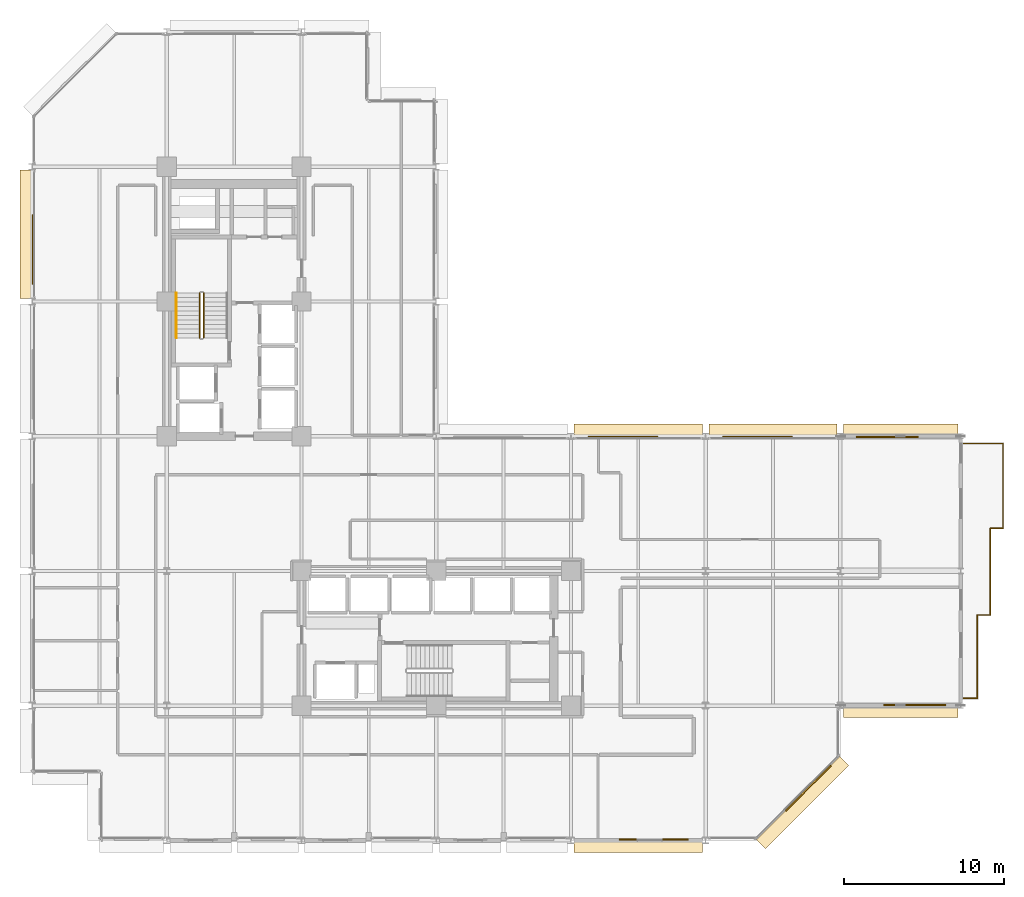
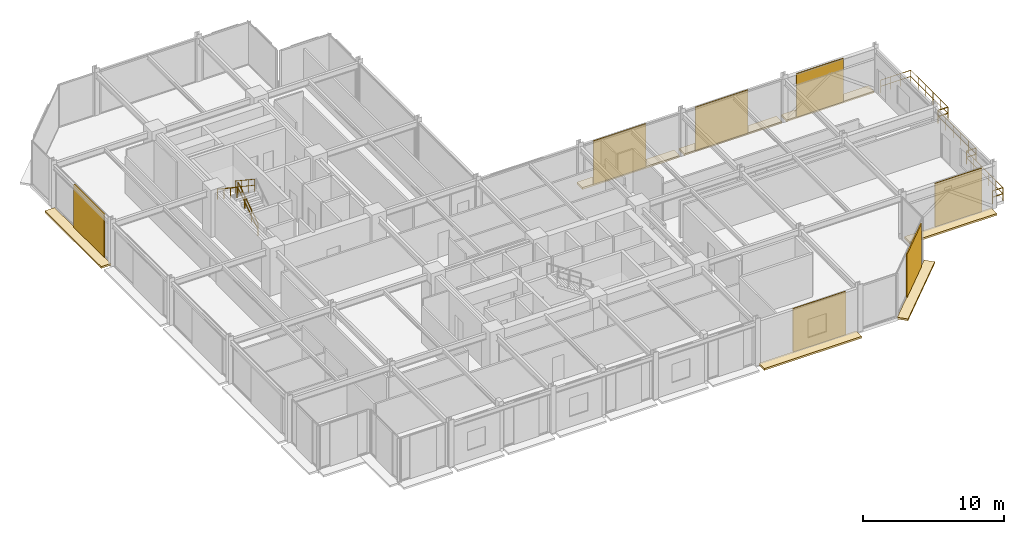
# One storey, part 39 of 40: 14 coverings, 10 railings.
"""IFC4 building model written with IfcOpenShell, lengths in metres."""

from ifc_helpers import new_model, si_unit, direction, frame, origin, origin_2d, place, context, subcontext, project, spatial, polyline, rectangle, circle, outline, extrude, material, layer, layer_set, type_object, element, save


model = new_model("IFC4")

# Units and contexts
model_context = context("Model", 3, precision=1e-05, world=origin(), true_north=direction((0.0, 1.0)))
body_context = subcontext(model_context, "Body", "Model", "MODEL_VIEW")
ifc_project = project(units=[si_unit("LENGTHUNIT", "METRE"), si_unit("AREAUNIT", "SQUARE_METRE"), si_unit("VOLUMEUNIT", "CUBIC_METRE"), si_unit("PLANEANGLEUNIT", "RADIAN"), si_unit("MASSUNIT", "GRAM", prefix="KILO")], contexts=[model_context])

# Site, building, storey
site_placement = place(None, origin())
site = spatial("IfcSite", under=ifc_project, at=site_placement, CompositionType="ELEMENT")
building_placement = place(site_placement, origin())
building = spatial("IfcBuilding", under=site, at=building_placement, Name="Nerrivon Quay Data Exchange", CompositionType="ELEMENT")
storey_placement = place(building_placement, frame((0.0, 0.0, 109.0)))
storey = spatial("IfcBuildingStorey", under=building, at=storey_placement, Name="L25", CompositionType="ELEMENT", Elevation=109.0)

# Coverings
ifc_material_1 = material(Name="Architectural terracotta ceramic", Category="masonry")
ifc_layer_1 = layer(ifc_material_1, 0.159912109375)
ifc_layer_set_1 = layer_set([ifc_layer_1], Name="Architectural terracotta ceramic")
covering_type_1 = type_object("IfcCoveringType", Name="COV-BLD-TERR", PredefinedType="CLADDING", material=ifc_layer_set_1)
covering_1_placement = place(storey_placement, frame((0.0, 0.0, -0.159912109375)))
element("IfcCovering", 1, at=covering_1_placement, inside=storey, type_object=covering_type_1, Name="L25 Horizontal Terracotta SOLAR SCREEN Blade", PredefinedType="CLADDING", context=body_context, shape_type="SweptSolid", body=[
    extrude(outline(polyline([(57.744384765625, 8.43994140625), (50.60009765625, 8.43994140625), (50.60009765625, 7.64990234375), (57.744384765625, 7.64990234375), (57.744384765625, 8.43994140625)])), origin(), (0.0, 0.0, 1.0), 0.159912109375),
])
covering_2_placement = place(storey_placement, frame((0.0, 0.0, -0.159912109375)))
element("IfcCovering", 2, at=covering_2_placement, inside=storey, type_object=covering_type_1, Name="L25 Horizontal Terracotta SOLAR SCREEN Blade", PredefinedType="CLADDING", context=body_context, shape_type="SweptSolid", body=[
    extrude(outline(polyline([(50.37158203125, 5.228271484375), (45.171630859375, 0.0283203125), (45.730224609375, -0.5302734375), (50.930419921875, 4.669677734375), (50.37158203125, 5.228271484375)])), origin(), (0.0, 0.0, 1.0), 0.159912109375),
])
covering_3_placement = place(storey_placement, frame((0.0, 0.0, -0.159912109375)))
element("IfcCovering", 3, at=covering_3_placement, inside=storey, type_object=covering_type_1, Name="L25 Horizontal Terracotta SOLAR SCREEN Blade", PredefinedType="CLADDING", context=body_context, shape_type="SweptSolid", body=[
    extrude(outline(polyline([(41.800048828125, 0.0400390625), (33.800048828125, 0.0400390625), (33.800048828125, -0.75), (41.800048828125, -0.75), (41.800048828125, 0.0400390625)])), origin(), (0.0, 0.0, 1.0), 0.159912109375),
])
covering_4_placement = place(storey_placement, frame((0.0, 0.0, -0.159912109375)))
element("IfcCovering", 4, at=covering_4_placement, inside=storey, type_object=covering_type_1, Name="L25 Horizontal Terracotta SOLAR SCREEN Blade", PredefinedType="CLADDING", context=body_context, shape_type="SweptSolid", body=[
    extrude(outline(polyline([(0.0400390625, 33.800048828125), (0.0400390625, 41.800048828125), (-0.75, 41.800048828125), (-0.75, 33.800048828125), (0.0400390625, 33.800048828125)])), origin(), (0.0, 0.0, 1.0), 0.159912109375),
])
covering_5_placement = place(storey_placement, frame((0.0, 0.0, -0.159912109375)))
element("IfcCovering", 5, at=covering_5_placement, inside=storey, type_object=covering_type_1, Name="L25 Horizontal Terracotta SOLAR SCREEN Blade", PredefinedType="CLADDING", context=body_context, shape_type="SweptSolid", body=[
    extrude(outline(polyline([(33.800048828125, 25.159912109375), (41.800048828125, 25.159912109375), (41.800048828125, 25.949951171875), (33.800048828125, 25.949951171875), (33.800048828125, 25.159912109375)])), origin(), (0.0, 0.0, 1.0), 0.159912109375),
])
covering_6_placement = place(storey_placement, frame((0.0, 0.0, -0.159912109375)))
element("IfcCovering", 6, at=covering_6_placement, inside=storey, type_object=covering_type_1, Name="L25 Horizontal Terracotta SOLAR SCREEN Blade", PredefinedType="CLADDING", context=body_context, shape_type="SweptSolid", body=[
    extrude(outline(polyline([(42.199951171875, 25.159912109375), (50.199951171875, 25.159912109375), (50.199951171875, 25.949951171875), (42.199951171875, 25.949951171875), (42.199951171875, 25.159912109375)])), origin(), (0.0, 0.0, 1.0), 0.159912109375),
])
covering_7_placement = place(storey_placement, frame((0.0, 0.0, -0.159912109375)))
element("IfcCovering", 7, at=covering_7_placement, inside=storey, type_object=covering_type_1, Name="L25 Horizontal Terracotta SOLAR SCREEN Blade", PredefinedType="CLADDING", context=body_context, shape_type="SweptSolid", body=[
    extrude(outline(polyline([(50.60009765625, 25.159912109375), (57.744384765625, 25.159912109375), (57.744384765625, 25.949951171875), (50.60009765625, 25.949951171875), (50.60009765625, 25.159912109375)])), origin(), (0.0, 0.0, 1.0), 0.159912109375),
])
ifc_layer_2 = layer(ifc_material_1, 0.090087890625)
ifc_layer_set_2 = layer_set([ifc_layer_2], Name="Architectural terracotta ceramic")
covering_type_2 = type_object("IfcCoveringType", Name="COV-SCR-TERR", PredefinedType="CLADDING", material=ifc_layer_set_2)
covering_8_placement = place(storey_placement, frame((55.029541015625, 8.445068359375, 0.0), z_axis=(0.0, 0.0, 1.0), x_axis=(-1.0, 0.0, 0.0)))
element("IfcCovering", 8, at=covering_8_placement, inside=storey, type_object=covering_type_2, Name="L25 Perforated Terracotta SOLAR SCREEN Cassette", PredefinedType="CLADDING", context=body_context, shape_type="SweptSolid", body=[
    extrude(rectangle(XDim=3.85791015625, YDim=0.090087890625, at=origin_2d()), origin(), (0.0, 0.0, 1.0), 3.75),
])
covering_9_placement = place(storey_placement, frame((48.39208984375, 3.255859375, 0.0), z_axis=(0.0, 0.0, 1.0), x_axis=(-0.707106781187, -0.707106781187, 0.0)))
element("IfcCovering", 9, at=covering_9_placement, inside=storey, type_object=covering_type_2, Name="L25 Perforated Terracotta SOLAR SCREEN Cassette", PredefinedType="CLADDING", context=body_context, shape_type="SweptSolid", body=[
    extrude(rectangle(XDim=3.970947265625, YDim=0.090087890625, at=origin_2d()), origin(), (0.0, 0.0, 1.0), 3.75),
])
for number, where, z_axis, x_axis, name in (
    (10, (38.760009765625, 0.044921875, 0.0), (0.0, 0.0, 1.0), (-1.0, 0.0, 0.0), "L25 Perforated Terracotta SOLAR SCREEN Cassette"),
    (11, (0.044921875, 36.840087890625, 0.0), (0.0, 0.0, 1.0), (0.0, 1.0, 0.0), "L25 Perforated Terracotta SOLAR SCREEN Cassette"),
    (12, (36.840087890625, 25.155029296875, 0.0), (0.0, 0.0, 1.0), (1.0, 0.0, 0.0), "L25 Perforated Terracotta SOLAR SCREEN Cassette"),
    (13, (45.239990234375, 25.155029296875, 0.0), (0.0, 0.0, 1.0), (1.0, 0.0, 0.0), "L25 Perforated Terracotta SOLAR SCREEN Cassette"),
):
    element("IfcCovering", number, at=place(storey_placement, frame(where, z_axis=z_axis, x_axis=x_axis)), inside=storey, type_object=covering_type_2, Name=name, PredefinedType="CLADDING", context=body_context, shape_type="SweptSolid", body=[
        extrude(rectangle(XDim=4.320068359375, YDim=0.090087890625, at=origin_2d()), origin(), (0.0, 0.0, 1.0), 3.75),
    ])
covering_10_placement = place(storey_placement, frame((53.31494140625, 25.155029296875, 0.0), z_axis=(0.0, 0.0, 1.0), x_axis=(1.0, 0.0, 0.0)))
element("IfcCovering", 14, at=covering_10_placement, inside=storey, type_object=covering_type_2, Name="L25 Perforated Terracotta SOLAR SCREEN Cassette", PredefinedType="CLADDING", context=body_context, shape_type="SweptSolid", body=[
    extrude(rectangle(XDim=3.85791015625, YDim=0.090087890625, at=origin_2d()), origin(), (0.0, 0.0, 1.0), 3.75),
])

# Railings
ifc_material_2 = material(Name="Steel Grade C350L0 (350 MPa)", Category="steel")
railing_type_1 = type_object("IfcRailingType", Name="RAIL-GUARD-GR2", PredefinedType="BALUSTRADE", material=ifc_material_2)
railing_1_placement = place(storey_placement, frame((58.93994140625, 14.06005859375, 0.0)))
element("IfcRailing", 15, at=railing_1_placement, inside=storey, type_object=railing_type_1, Name="L25 Verandah Balcony Guard 1.1 1", PredefinedType="BALUSTRADE", context=body_context, shape_type="SweptSolid", body=[
    extrude(circle(Radius=0.02392578125, at=origin_2d()), frame((0.0, 0.0, 1.09619140625), z_axis=(0.0, -1.0, 0.0), x_axis=(1.0, 0.0, 0.0)), (0.0, 0.0, 1.0), 5.199951171875),
    extrude(circle(Radius=0.02392578125, at=origin_2d()), frame((0.0, 0.0, 0.56005859375), z_axis=(0.0, -1.0, 0.0), x_axis=(1.0, 0.0, 0.0)), (0.0, 0.0, 1.0), 5.199951171875),
    extrude(circle(Radius=0.02099609375, at=origin_2d()), origin(), (0.0, 0.0, 1.0), 1.072021484375),
    extrude(circle(Radius=0.02099609375, at=origin_2d()), frame((0.0, -1.0400390625, 0.0)), (0.0, 0.0, 1.0), 1.072021484375),
    extrude(circle(Radius=0.02099609375, at=origin_2d()), frame((0.0, -2.080078125, 0.0)), (0.0, 0.0, 1.0), 1.072021484375),
    extrude(circle(Radius=0.02099609375, at=origin_2d()), frame((0.0, -3.119873046875, 0.0)), (0.0, 0.0, 1.0), 1.072021484375),
    extrude(circle(Radius=0.02099609375, at=origin_2d()), frame((0.0, -4.159912109375, 0.0)), (0.0, 0.0, 1.0), 1.072021484375),
    extrude(circle(Radius=0.02099609375, at=origin_2d()), frame((0.0, -5.199951171875, 0.0)), (0.0, 0.0, 1.0), 1.072021484375),
])
railing_2_placement = place(storey_placement, frame((58.93994140625, 8.860107421875, 0.0)))
element("IfcRailing", 16, at=railing_2_placement, inside=storey, type_object=railing_type_1, Name="L25 Verandah Balcony Guard 1.2 1", PredefinedType="BALUSTRADE", context=body_context, shape_type="SweptSolid", body=[
    extrude(circle(Radius=0.02392578125, at=origin_2d()), frame((0.0, 0.0, 1.09619140625), z_axis=(-1.0, 0.0, 0.0), x_axis=(0.0, -1.0, 0.0)), (0.0, 0.0, 1.0), 0.85986328125),
    extrude(circle(Radius=0.02392578125, at=origin_2d()), frame((0.0, 0.0, 0.56005859375), z_axis=(-1.0, 0.0, 0.0), x_axis=(0.0, -1.0, 0.0)), (0.0, 0.0, 1.0), 0.85986328125),
    extrude(circle(Radius=0.02099609375, at=origin_2d()), origin(), (0.0, 0.0, 1.0), 1.072021484375),
    extrude(circle(Radius=0.02099609375, at=origin_2d()), frame((-0.85986328125, 0.0, 0.0)), (0.0, 0.0, 1.0), 1.072021484375),
])
railing_3_placement = place(storey_placement, frame((58.080078125, 24.739990234375, 0.0)))
element("IfcRailing", 17, at=railing_3_placement, inside=storey, type_object=railing_type_1, Name="L25 Verandah Balcony Guard 1.3 1", PredefinedType="BALUSTRADE", context=body_context, shape_type="SweptSolid", body=[
    extrude(circle(Radius=0.02392578125, at=origin_2d()), frame((0.0, 0.0, 1.09619140625), z_axis=(1.0, 0.0, 0.0), x_axis=(0.0, 1.0, 0.0)), (0.0, 0.0, 1.0), 2.4599609375),
    extrude(circle(Radius=0.02392578125, at=origin_2d()), frame((0.0, 0.0, 0.56005859375), z_axis=(1.0, 0.0, 0.0), x_axis=(0.0, 1.0, 0.0)), (0.0, 0.0, 1.0), 2.4599609375),
    extrude(circle(Radius=0.02099609375, at=origin_2d()), origin(), (0.0, 0.0, 1.0), 1.072021484375),
    extrude(circle(Radius=0.02099609375, at=origin_2d()), frame((0.820068359375, 0.0, 0.0)), (0.0, 0.0, 1.0), 1.072021484375),
    extrude(circle(Radius=0.02099609375, at=origin_2d()), frame((1.639892578125, 0.0, 0.0)), (0.0, 0.0, 1.0), 1.072021484375),
    extrude(circle(Radius=0.02099609375, at=origin_2d()), frame((2.4599609375, 0.0, 0.0)), (0.0, 0.0, 1.0), 1.072021484375),
])
railing_4_placement = place(storey_placement, frame((60.5400390625, 24.739990234375, 0.0)))
element("IfcRailing", 18, at=railing_4_placement, inside=storey, type_object=railing_type_1, Name="L25 Verandah Balcony Guard 1.4 1", PredefinedType="BALUSTRADE", context=body_context, shape_type="SweptSolid", body=[
    extrude(circle(Radius=0.02392578125, at=origin_2d()), frame((0.0, 0.0, 1.09619140625), z_axis=(0.0, -1.0, 0.0), x_axis=(1.0, 0.0, 0.0)), (0.0, 0.0, 1.0), 5.280029296875),
    extrude(circle(Radius=0.02392578125, at=origin_2d()), frame((0.0, 0.0, 0.56005859375), z_axis=(0.0, -1.0, 0.0), x_axis=(1.0, 0.0, 0.0)), (0.0, 0.0, 1.0), 5.280029296875),
    extrude(circle(Radius=0.02099609375, at=origin_2d()), origin(), (0.0, 0.0, 1.0), 1.072021484375),
    extrude(circle(Radius=0.02099609375, at=origin_2d()), frame((0.0, -1.055908203125, 0.0)), (0.0, 0.0, 1.0), 1.072021484375),
    extrude(circle(Radius=0.02099609375, at=origin_2d()), frame((0.0, -2.112060546875, 0.0)), (0.0, 0.0, 1.0), 1.072021484375),
    extrude(circle(Radius=0.02099609375, at=origin_2d()), frame((0.0, -3.16796875, 0.0)), (0.0, 0.0, 1.0), 1.072021484375),
    extrude(circle(Radius=0.02099609375, at=origin_2d()), frame((0.0, -4.22412109375, 0.0)), (0.0, 0.0, 1.0), 1.072021484375),
    extrude(circle(Radius=0.02099609375, at=origin_2d()), frame((0.0, -5.280029296875, 0.0)), (0.0, 0.0, 1.0), 1.072021484375),
])
railing_5_placement = place(storey_placement, frame((60.5400390625, 19.4599609375, 0.0)))
element("IfcRailing", 19, at=railing_5_placement, inside=storey, type_object=railing_type_1, Name="L25 Verandah Balcony Guard 1.5 1", PredefinedType="BALUSTRADE", context=body_context, shape_type="SweptSolid", body=[
    extrude(circle(Radius=0.02392578125, at=origin_2d()), frame((0.0, 0.0, 1.09619140625), z_axis=(-1.0, 0.0, 0.0), x_axis=(0.0, -1.0, 0.0)), (0.0, 0.0, 1.0), 0.800048828125),
    extrude(circle(Radius=0.02392578125, at=origin_2d()), frame((0.0, 0.0, 0.56005859375), z_axis=(-1.0, 0.0, 0.0), x_axis=(0.0, -1.0, 0.0)), (0.0, 0.0, 1.0), 0.800048828125),
    extrude(circle(Radius=0.02099609375, at=origin_2d()), origin(), (0.0, 0.0, 1.0), 1.072021484375),
    extrude(circle(Radius=0.02099609375, at=origin_2d()), frame((-0.800048828125, 0.0, 0.0)), (0.0, 0.0, 1.0), 1.072021484375),
])
railing_6_placement = place(storey_placement, frame((59.739990234375, 19.4599609375, 0.0)))
element("IfcRailing", 20, at=railing_6_placement, inside=storey, type_object=railing_type_1, Name="L25 Verandah Balcony Guard 1.6 1", PredefinedType="BALUSTRADE", context=body_context, shape_type="SweptSolid", body=[
    extrude(circle(Radius=0.02392578125, at=origin_2d()), frame((0.0, 0.0, 1.09619140625), z_axis=(0.0, -1.0, 0.0), x_axis=(1.0, 0.0, 0.0)), (0.0, 0.0, 1.0), 5.39990234375),
    extrude(circle(Radius=0.02392578125, at=origin_2d()), frame((0.0, 0.0, 0.56005859375), z_axis=(0.0, -1.0, 0.0), x_axis=(1.0, 0.0, 0.0)), (0.0, 0.0, 1.0), 5.39990234375),
    extrude(circle(Radius=0.02099609375, at=origin_2d()), origin(), (0.0, 0.0, 1.0), 1.072021484375),
    extrude(circle(Radius=0.02099609375, at=origin_2d()), frame((0.0, -1.080078125, 0.0)), (0.0, 0.0, 1.0), 1.072021484375),
    extrude(circle(Radius=0.02099609375, at=origin_2d()), frame((0.0, -2.159912109375, 0.0)), (0.0, 0.0, 1.0), 1.072021484375),
    extrude(circle(Radius=0.02099609375, at=origin_2d()), frame((0.0, -3.239990234375, 0.0)), (0.0, 0.0, 1.0), 1.072021484375),
    extrude(circle(Radius=0.02099609375, at=origin_2d()), frame((0.0, -4.31982421875, 0.0)), (0.0, 0.0, 1.0), 1.072021484375),
    extrude(circle(Radius=0.02099609375, at=origin_2d()), frame((0.0, -5.39990234375, 0.0)), (0.0, 0.0, 1.0), 1.072021484375),
])
railing_7_placement = place(storey_placement, frame((59.739990234375, 14.06005859375, 0.0)))
element("IfcRailing", 21, at=railing_7_placement, inside=storey, type_object=railing_type_1, Name="L25 Verandah Balcony Guard 1.7 1", PredefinedType="BALUSTRADE", context=body_context, shape_type="SweptSolid", body=[
    extrude(circle(Radius=0.02392578125, at=origin_2d()), frame((0.0, 0.0, 1.09619140625), z_axis=(-1.0, 0.0, 0.0), x_axis=(0.0, -1.0, 0.0)), (0.0, 0.0, 1.0), 0.800048828125),
    extrude(circle(Radius=0.02392578125, at=origin_2d()), frame((0.0, 0.0, 0.56005859375), z_axis=(-1.0, 0.0, 0.0), x_axis=(0.0, -1.0, 0.0)), (0.0, 0.0, 1.0), 0.800048828125),
    extrude(circle(Radius=0.02099609375, at=origin_2d()), origin(), (0.0, 0.0, 1.0), 1.072021484375),
    extrude(circle(Radius=0.02099609375, at=origin_2d()), frame((-0.800048828125, 0.0, 0.0)), (0.0, 0.0, 1.0), 1.072021484375),
])
railing_type_2 = type_object("IfcRailingType", Name="RAIL-HAND-HR1", PredefinedType="HANDRAIL", material=ifc_material_2)
railing_8_placement = place(storey_placement, frame((9.0, 34.1298828125, 2.236328125)))
element("IfcRailing", 22, at=railing_8_placement, inside=storey, type_object=railing_type_2, Name="L25 ST01 stair handrail 2", PredefinedType="HANDRAIL", context=body_context, shape_type="SweptSolid", body=[
    extrude(circle(Radius=0.02392578125, at=origin_2d()), frame((0.0, 0.0, 0.8759765625), z_axis=(0.0, -0.832429786209, 0.554130536094), x_axis=(1.0, 0.0, 0.0)), (0.0, 0.0, 1.0), 3.363525390625),
    extrude(circle(Radius=0.02099609375, at=origin_2d()), origin(), (0.0, 0.0, 1.0), 0.851806640625),
    extrude(circle(Radius=0.02099609375, at=origin_2d()), frame((0.0, -0.933349609375, 0.621337890625)), (0.0, 0.0, 1.0), 0.851806640625),
    extrude(circle(Radius=0.02099609375, at=origin_2d()), frame((0.0, -1.866455078125, 1.242431640625)), (0.0, 0.0, 1.0), 0.851806640625),
    extrude(circle(Radius=0.02099609375, at=origin_2d()), frame((0.0, -2.7998046875, 1.86376953125)), (0.0, 0.0, 1.0), 0.851806640625),
])
railing_type_3 = type_object("IfcRailingType", Name="RAIL-STAIR-GR1", PredefinedType="BALUSTRADE", material=ifc_material_2)
railing_9_placement = place(storey_placement, frame((10.699951171875, 31.330078125, 0.186279296875)))
element("IfcRailing", 23, at=railing_9_placement, inside=storey, type_object=railing_type_3, Name="L25 ST01 stair guard 1", PredefinedType="BALUSTRADE", context=body_context, shape_type="SweptSolid", body=[
    extrude(circle(Radius=0.02392578125, at=origin_2d()), frame((0.0, 0.0, 1.076171875), z_axis=(0.0, 0.832429786209, 0.554130536094), x_axis=(-1.0, 0.0, 0.0)), (0.0, 0.0, 1.0), 3.363525390625),
    extrude(circle(Radius=0.02392578125, at=origin_2d()), frame((0.0, 0.0, 0.550048828125), z_axis=(0.0, 0.832429786209, 0.554130536094), x_axis=(-1.0, 0.0, 0.0)), (0.0, 0.0, 1.0), 3.363525390625),
    extrude(circle(Radius=0.02099609375, at=origin_2d()), origin(), (0.0, 0.0, 1.0), 1.052001953125),
    extrude(circle(Radius=0.02099609375, at=origin_2d()), frame((0.0, 0.933349609375, 0.621337890625)), (0.0, 0.0, 1.0), 1.052001953125),
    extrude(circle(Radius=0.02099609375, at=origin_2d()), frame((0.0, 1.866455078125, 1.242431640625)), (0.0, 0.0, 1.0), 1.052001953125),
    extrude(circle(Radius=0.02099609375, at=origin_2d()), frame((0.0, 2.7998046875, 1.86376953125)), (0.0, 0.0, 1.0), 1.052001953125),
])
railing_10_placement = place(storey_placement, frame((10.449951171875, 34.1298828125, 2.236328125)))
element("IfcRailing", 24, at=railing_10_placement, inside=storey, type_object=railing_type_3, Name="L25 ST01 stair guard 3", PredefinedType="BALUSTRADE", context=body_context, shape_type="SweptSolid", body=[
    extrude(circle(Radius=0.02392578125, at=origin_2d()), frame((0.0, 0.0, 1.076171875), z_axis=(0.0, -0.832429786209, 0.554130536094), x_axis=(1.0, 0.0, 0.0)), (0.0, 0.0, 1.0), 3.363525390625),
    extrude(circle(Radius=0.02392578125, at=origin_2d()), frame((0.0, 0.0, 0.550048828125), z_axis=(0.0, -0.832429786209, 0.554130536094), x_axis=(1.0, 0.0, 0.0)), (0.0, 0.0, 1.0), 3.363525390625),
    extrude(circle(Radius=0.02099609375, at=origin_2d()), origin(), (0.0, 0.0, 1.0), 1.052001953125),
    extrude(circle(Radius=0.02099609375, at=origin_2d()), frame((0.0, -0.933349609375, 0.621337890625)), (0.0, 0.0, 1.0), 1.052001953125),
    extrude(circle(Radius=0.02099609375, at=origin_2d()), frame((0.0, -1.866455078125, 1.242431640625)), (0.0, 0.0, 1.0), 1.052001953125),
    extrude(circle(Radius=0.02099609375, at=origin_2d()), frame((0.0, -2.7998046875, 1.86376953125)), (0.0, 0.0, 1.0), 1.052001953125),
])

save(model, "model.ifc")
